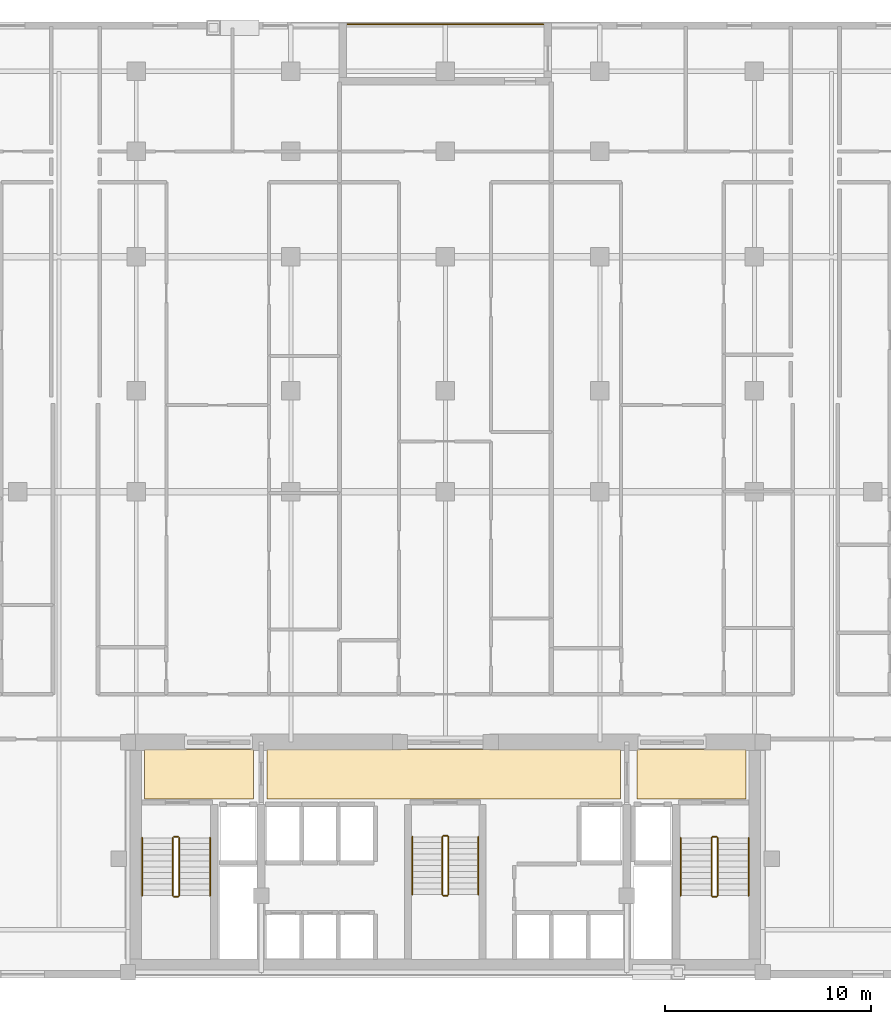
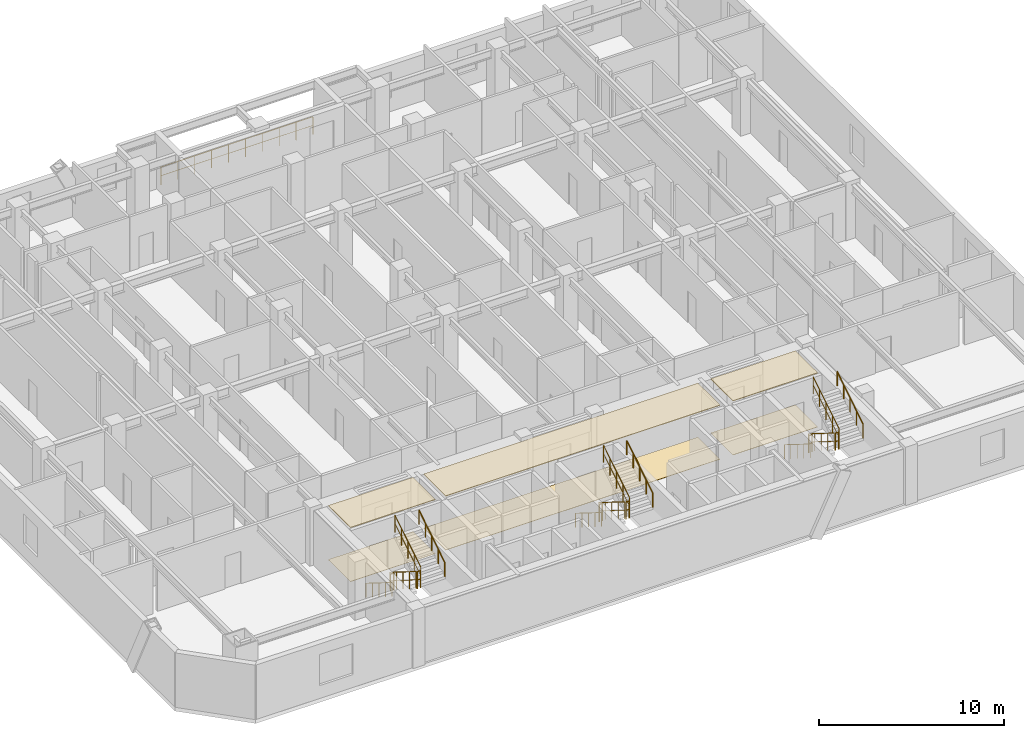
# One storey, part 10 of 10: 19 railings, 6 coverings.
"""IFC4 building model written with IfcOpenShell, lengths in metres."""

from ifc_helpers import new_model, si_unit, direction, frame, origin, origin_2d, place, context, subcontext, project, spatial, polyline, circle, outline, extrude, material, layer, layer_set, type_object, element, save


model = new_model("IFC4")

# Units and contexts
model_context = context("Model", 3, precision=1e-05, world=origin(), true_north=direction((0.0, 1.0)))
body_context = subcontext(model_context, "Body", "Model", "MODEL_VIEW")
ifc_project = project(units=[si_unit("LENGTHUNIT", "METRE"), si_unit("AREAUNIT", "SQUARE_METRE"), si_unit("VOLUMEUNIT", "CUBIC_METRE"), si_unit("PLANEANGLEUNIT", "RADIAN"), si_unit("MASSUNIT", "GRAM", prefix="KILO")], contexts=[model_context])

# Site, building, storey
site_placement = place(None, origin())
site = spatial("IfcSite", under=ifc_project, at=site_placement, CompositionType="ELEMENT")
building_placement = place(site_placement, origin())
building = spatial("IfcBuilding", under=site, at=building_placement, Name="Ventersveld Concourse Tower", CompositionType="ELEMENT")
storey_placement = place(building_placement, frame((0.0, 0.0, 49.050048828125)))
storey = spatial("IfcBuildingStorey", under=building, at=storey_placement, Name="L11", CompositionType="ELEMENT", Elevation=49.050048828125)

# Coverings
ifc_material_1 = material(Name="Mineral-fibre acoustic ceiling tile", Category="gypsum")
ifc_layer_1 = layer(ifc_material_1, 0.0400390625)
ifc_layer_set_1 = layer_set([ifc_layer_1], Name="Mineral-fibre acoustic ceiling tile")
covering_type_1 = type_object("IfcCoveringType", Name="COV-CEIL-ACOUSTIC", PredefinedType="CEILING", material=ifc_layer_set_1)
covering_1_placement = place(storey_placement, frame((0.0, 0.0, 3.56005859375)))
element("IfcCovering", 1, at=covering_1_placement, inside=storey, type_object=covering_type_1, Name="L11 North Lift Lobby Acoustic Ceiling", PredefinedType="CEILING", context=body_context, shape_type="SweptSolid", body=[
    extrude(outline(polyline([(20.10009765625, 8.699951171875), (37.25, 8.699951171875), (37.25, 11.10009765625), (20.10009765625, 11.10009765625), (20.10009765625, 8.699951171875)])), origin(), (0.0, 0.0, 1.0), 0.039794921875),
])
covering_2_placement = place(storey_placement, frame((0.0, 0.0, 3.56005859375)))
element("IfcCovering", 2, at=covering_2_placement, inside=storey, type_object=covering_type_1, Name="L11 West Firefighting Lobby Acoustic Ceiling", PredefinedType="CEILING", context=body_context, shape_type="SweptSolid", body=[
    extrude(outline(polyline([(14.14990234375, 8.699951171875), (19.449951171875, 8.699951171875), (19.449951171875, 11.10009765625), (14.14990234375, 11.10009765625), (14.14990234375, 8.699951171875)])), origin(), (0.0, 0.0, 1.0), 0.039794921875),
])
covering_3_placement = place(storey_placement, frame((0.0, 0.0, 3.56005859375)))
element("IfcCovering", 3, at=covering_3_placement, inside=storey, type_object=covering_type_1, Name="L11 East Firefighting Lobby Acoustic Ceiling", PredefinedType="CEILING", context=body_context, shape_type="SweptSolid", body=[
    extrude(outline(polyline([(38.050048828125, 8.699951171875), (43.35009765625, 8.699951171875), (43.35009765625, 11.10009765625), (38.050048828125, 11.10009765625), (38.050048828125, 8.699951171875)])), origin(), (0.0, 0.0, 1.0), 0.039794921875),
])
ifc_material_2 = material(Name="Polished Highveld granite terrazzo", Category="masonry")
ifc_layer_2 = layer(ifc_material_2, 0.02001953125)
ifc_layer_set_2 = layer_set([ifc_layer_2], Name="Polished Highveld granite terrazzo")
covering_type_2 = type_object("IfcCoveringType", Name="COV-FLOOR-TERRAZZO", PredefinedType="FLOORING", material=ifc_layer_set_2)
covering_4_placement = place(storey_placement, origin())
element("IfcCovering", 4, at=covering_4_placement, inside=storey, type_object=covering_type_2, Name="L11 North Lift Lobby Terrazzo Flooring", PredefinedType="FLOORING", context=body_context, shape_type="SweptSolid", body=[
    extrude(outline(polyline([(20.10009765625, 8.699951171875), (37.25, 8.699951171875), (37.25, 11.10009765625), (20.10009765625, 11.10009765625), (20.10009765625, 8.699951171875)])), origin(), (0.0, 0.0, 1.0), 0.02001953125),
])
covering_5_placement = place(storey_placement, origin())
element("IfcCovering", 5, at=covering_5_placement, inside=storey, type_object=covering_type_2, Name="L11 West Firefighting Lobby Terrazzo Flooring", PredefinedType="FLOORING", context=body_context, shape_type="SweptSolid", body=[
    extrude(outline(polyline([(14.14990234375, 8.699951171875), (19.449951171875, 8.699951171875), (19.449951171875, 11.10009765625), (14.14990234375, 11.10009765625), (14.14990234375, 8.699951171875)])), origin(), (0.0, 0.0, 1.0), 0.02001953125),
])
covering_6_placement = place(storey_placement, origin())
element("IfcCovering", 6, at=covering_6_placement, inside=storey, type_object=covering_type_2, Name="L11 East Firefighting Lobby Terrazzo Flooring", PredefinedType="FLOORING", context=body_context, shape_type="SweptSolid", body=[
    extrude(outline(polyline([(38.050048828125, 8.699951171875), (43.35009765625, 8.699951171875), (43.35009765625, 11.10009765625), (38.050048828125, 11.10009765625), (38.050048828125, 8.699951171875)])), origin(), (0.0, 0.0, 1.0), 0.02001953125),
])

# Railings
ifc_material_3 = material(Name="Brushed stainless steel 316", Category="steel")
railing_type_1 = type_object("IfcRailingType", Name="GD-BAL-115", PredefinedType="GUARDRAIL", material=ifc_material_3)
railing_1_placement = place(storey_placement, frame((15.530029296875, 6.800048828125, 0.175048828125)))
element("IfcRailing", 7, at=railing_1_placement, inside=storey, type_object=railing_type_1, Name="L11 ST-01 stair guard 1", PredefinedType="GUARDRAIL", context=body_context, shape_type="SweptSolid", body=[
    extrude(circle(Radius=0.02392578125, at=origin_2d()), frame((0.0, 0.0, 1.1259765625), z_axis=(0.0, -0.848002457836, 0.529992293815), x_axis=(1.0, 0.0, 0.0)), (0.0, 0.0, 1.0), 3.302001953125),
    extrude(circle(Radius=0.01611328125, at=origin_2d()), frame((0.0, 0.0, 0.574951171875), z_axis=(0.0, -0.848002457836, 0.529992293815), x_axis=(1.0, 0.0, 0.0)), (0.0, 0.0, 1.0), 3.302001953125),
    extrude(circle(Radius=0.02099609375, at=origin_2d()), origin(), (0.0, 0.0, 1.0), 1.101806640625),
    extrude(circle(Radius=0.02099609375, at=origin_2d()), frame((0.0, -0.699951171875, 0.4375)), (0.0, 0.0, 1.0), 1.101806640625),
    extrude(circle(Radius=0.02099609375, at=origin_2d()), frame((0.0, -1.39990234375, 0.875)), (0.0, 0.0, 1.0), 1.101806640625),
    extrude(circle(Radius=0.02099609375, at=origin_2d()), frame((0.0, -2.10009765625, 1.3125)), (0.0, 0.0, 1.0), 1.101806640625),
    extrude(circle(Radius=0.02099609375, at=origin_2d()), frame((0.0, -2.800048828125, 1.75)), (0.0, 0.0, 1.0), 1.101806640625),
])
railing_2_placement = place(storey_placement, frame((15.580078125, 3.949951171875, 1.925048828125)))
element("IfcRailing", 8, at=railing_2_placement, inside=storey, type_object=railing_type_1, Name="L11 ST-01 stair guard 2", PredefinedType="GUARDRAIL", context=body_context, shape_type="SweptSolid", body=[
    extrude(circle(Radius=0.02392578125, at=origin_2d()), frame((0.0, 0.0, 1.1259765625), z_axis=(1.0, 0.0, 0.0), x_axis=(0.0, 1.0, 0.0)), (0.0, 0.0, 1.0), 0.199951171875),
    extrude(circle(Radius=0.01611328125, at=origin_2d()), frame((0.0, 0.0, 0.574951171875), z_axis=(1.0, 0.0, 0.0), x_axis=(0.0, 1.0, 0.0)), (0.0, 0.0, 1.0), 0.199951171875),
    extrude(circle(Radius=0.02099609375, at=origin_2d()), origin(), (0.0, 0.0, 1.0), 1.101806640625),
    extrude(circle(Radius=0.02099609375, at=origin_2d()), frame((0.199951171875, 0.0, 0.0)), (0.0, 0.0, 1.0), 1.101806640625),
])
railing_3_placement = place(storey_placement, frame((15.830078125, 4.0, 2.099853515625)))
element("IfcRailing", 9, at=railing_3_placement, inside=storey, type_object=railing_type_1, Name="L11 ST-01 stair guard 3", PredefinedType="GUARDRAIL", context=body_context, shape_type="SweptSolid", body=[
    extrude(circle(Radius=0.02392578125, at=origin_2d()), frame((0.0, 0.0, 1.1259765625), z_axis=(0.0, 0.848002457836, 0.529992293815), x_axis=(-1.0, 0.0, 0.0)), (0.0, 0.0, 1.0), 3.302001953125),
    extrude(circle(Radius=0.01611328125, at=origin_2d()), frame((0.0, 0.0, 0.574951171875), z_axis=(0.0, 0.848002457836, 0.529992293815), x_axis=(-1.0, 0.0, 0.0)), (0.0, 0.0, 1.0), 3.302001953125),
    extrude(circle(Radius=0.02099609375, at=origin_2d()), origin(), (0.0, 0.0, 1.0), 1.101806640625),
    extrude(circle(Radius=0.02099609375, at=origin_2d()), frame((0.0, 0.699951171875, 0.4375)), (0.0, 0.0, 1.0), 1.101806640625),
    extrude(circle(Radius=0.02099609375, at=origin_2d()), frame((0.0, 1.39990234375, 0.875)), (0.0, 0.0, 1.0), 1.101806640625),
    extrude(circle(Radius=0.02099609375, at=origin_2d()), frame((0.0, 2.10009765625, 1.3125)), (0.0, 0.0, 1.0), 1.101806640625),
    extrude(circle(Radius=0.02099609375, at=origin_2d()), frame((0.0, 2.800048828125, 1.75)), (0.0, 0.0, 1.0), 1.101806640625),
])
railing_4_placement = place(storey_placement, frame((15.580078125, 6.85009765625, 0.0)))
element("IfcRailing", 10, at=railing_4_placement, inside=storey, type_object=railing_type_1, Name="L11 ST-01 stair guard 4", PredefinedType="GUARDRAIL", context=body_context, shape_type="SweptSolid", body=[
    extrude(circle(Radius=0.02392578125, at=origin_2d()), frame((0.0, 0.0, 1.1259765625), z_axis=(1.0, 0.0, 0.0), x_axis=(0.0, 1.0, 0.0)), (0.0, 0.0, 1.0), 0.199951171875),
    extrude(circle(Radius=0.01611328125, at=origin_2d()), frame((0.0, 0.0, 0.574951171875), z_axis=(1.0, 0.0, 0.0), x_axis=(0.0, 1.0, 0.0)), (0.0, 0.0, 1.0), 0.199951171875),
    extrude(circle(Radius=0.02099609375, at=origin_2d()), origin(), (0.0, 0.0, 1.0), 1.101806640625),
    extrude(circle(Radius=0.02099609375, at=origin_2d()), frame((0.199951171875, 0.0, 0.0)), (0.0, 0.0, 1.0), 1.101806640625),
])
railing_5_placement = place(storey_placement, frame((41.669921875, 6.800048828125, 0.175048828125)))
element("IfcRailing", 11, at=railing_5_placement, inside=storey, type_object=railing_type_1, Name="L11 ST-02 stair guard 1", PredefinedType="GUARDRAIL", context=body_context, shape_type="SweptSolid", body=[
    extrude(circle(Radius=0.02392578125, at=origin_2d()), frame((0.0, 0.0, 1.1259765625), z_axis=(0.0, -0.848002457836, 0.529992293815), x_axis=(1.0, 0.0, 0.0)), (0.0, 0.0, 1.0), 3.302001953125),
    extrude(circle(Radius=0.01611328125, at=origin_2d()), frame((0.0, 0.0, 0.574951171875), z_axis=(0.0, -0.848002457836, 0.529992293815), x_axis=(1.0, 0.0, 0.0)), (0.0, 0.0, 1.0), 3.302001953125),
    extrude(circle(Radius=0.02099609375, at=origin_2d()), origin(), (0.0, 0.0, 1.0), 1.101806640625),
    extrude(circle(Radius=0.02099609375, at=origin_2d()), frame((0.0, -0.699951171875, 0.4375)), (0.0, 0.0, 1.0), 1.101806640625),
    extrude(circle(Radius=0.02099609375, at=origin_2d()), frame((0.0, -1.39990234375, 0.875)), (0.0, 0.0, 1.0), 1.101806640625),
    extrude(circle(Radius=0.02099609375, at=origin_2d()), frame((0.0, -2.10009765625, 1.3125)), (0.0, 0.0, 1.0), 1.101806640625),
    extrude(circle(Radius=0.02099609375, at=origin_2d()), frame((0.0, -2.800048828125, 1.75)), (0.0, 0.0, 1.0), 1.101806640625),
])
railing_6_placement = place(storey_placement, frame((41.719970703125, 3.949951171875, 1.925048828125)))
element("IfcRailing", 12, at=railing_6_placement, inside=storey, type_object=railing_type_1, Name="L11 ST-02 stair guard 2", PredefinedType="GUARDRAIL", context=body_context, shape_type="SweptSolid", body=[
    extrude(circle(Radius=0.02392578125, at=origin_2d()), frame((0.0, 0.0, 1.1259765625), z_axis=(1.0, 0.0, 0.0), x_axis=(0.0, 1.0, 0.0)), (0.0, 0.0, 1.0), 0.199951171875),
    extrude(circle(Radius=0.01611328125, at=origin_2d()), frame((0.0, 0.0, 0.574951171875), z_axis=(1.0, 0.0, 0.0), x_axis=(0.0, 1.0, 0.0)), (0.0, 0.0, 1.0), 0.199951171875),
    extrude(circle(Radius=0.02099609375, at=origin_2d()), origin(), (0.0, 0.0, 1.0), 1.101806640625),
    extrude(circle(Radius=0.02099609375, at=origin_2d()), frame((0.199951171875, 0.0, 0.0)), (0.0, 0.0, 1.0), 1.101806640625),
])
railing_7_placement = place(storey_placement, frame((41.969970703125, 4.0, 2.099853515625)))
element("IfcRailing", 13, at=railing_7_placement, inside=storey, type_object=railing_type_1, Name="L11 ST-02 stair guard 3", PredefinedType="GUARDRAIL", context=body_context, shape_type="SweptSolid", body=[
    extrude(circle(Radius=0.02392578125, at=origin_2d()), frame((0.0, 0.0, 1.1259765625), z_axis=(0.0, 0.848002457836, 0.529992293815), x_axis=(-1.0, 0.0, 0.0)), (0.0, 0.0, 1.0), 3.302001953125),
    extrude(circle(Radius=0.01611328125, at=origin_2d()), frame((0.0, 0.0, 0.574951171875), z_axis=(0.0, 0.848002457836, 0.529992293815), x_axis=(-1.0, 0.0, 0.0)), (0.0, 0.0, 1.0), 3.302001953125),
    extrude(circle(Radius=0.02099609375, at=origin_2d()), origin(), (0.0, 0.0, 1.0), 1.101806640625),
    extrude(circle(Radius=0.02099609375, at=origin_2d()), frame((0.0, 0.699951171875, 0.4375)), (0.0, 0.0, 1.0), 1.101806640625),
    extrude(circle(Radius=0.02099609375, at=origin_2d()), frame((0.0, 1.39990234375, 0.875)), (0.0, 0.0, 1.0), 1.101806640625),
    extrude(circle(Radius=0.02099609375, at=origin_2d()), frame((0.0, 2.10009765625, 1.3125)), (0.0, 0.0, 1.0), 1.101806640625),
    extrude(circle(Radius=0.02099609375, at=origin_2d()), frame((0.0, 2.800048828125, 1.75)), (0.0, 0.0, 1.0), 1.101806640625),
])
railing_8_placement = place(storey_placement, frame((41.719970703125, 6.85009765625, 0.0)))
element("IfcRailing", 14, at=railing_8_placement, inside=storey, type_object=railing_type_1, Name="L11 ST-02 stair guard 4", PredefinedType="GUARDRAIL", context=body_context, shape_type="SweptSolid", body=[
    extrude(circle(Radius=0.02392578125, at=origin_2d()), frame((0.0, 0.0, 1.1259765625), z_axis=(1.0, 0.0, 0.0), x_axis=(0.0, 1.0, 0.0)), (0.0, 0.0, 1.0), 0.199951171875),
    extrude(circle(Radius=0.01611328125, at=origin_2d()), frame((0.0, 0.0, 0.574951171875), z_axis=(1.0, 0.0, 0.0), x_axis=(0.0, 1.0, 0.0)), (0.0, 0.0, 1.0), 0.199951171875),
    extrude(circle(Radius=0.02099609375, at=origin_2d()), origin(), (0.0, 0.0, 1.0), 1.101806640625),
    extrude(circle(Radius=0.02099609375, at=origin_2d()), frame((0.199951171875, 0.0, 0.0)), (0.0, 0.0, 1.0), 1.101806640625),
])
railing_9_placement = place(storey_placement, frame((28.60009765625, 6.85009765625, 0.175048828125)))
element("IfcRailing", 15, at=railing_9_placement, inside=storey, type_object=railing_type_1, Name="L11 ST-03 stair guard 1", PredefinedType="GUARDRAIL", context=body_context, shape_type="SweptSolid", body=[
    extrude(circle(Radius=0.02392578125, at=origin_2d()), frame((0.0, 0.0, 1.1259765625), z_axis=(0.0, -0.848002457836, 0.529992293815), x_axis=(1.0, 0.0, 0.0)), (0.0, 0.0, 1.0), 3.302001953125),
    extrude(circle(Radius=0.01611328125, at=origin_2d()), frame((0.0, 0.0, 0.574951171875), z_axis=(0.0, -0.848002457836, 0.529992293815), x_axis=(1.0, 0.0, 0.0)), (0.0, 0.0, 1.0), 3.302001953125),
    extrude(circle(Radius=0.02099609375, at=origin_2d()), origin(), (0.0, 0.0, 1.0), 1.101806640625),
    extrude(circle(Radius=0.02099609375, at=origin_2d()), frame((0.0, -0.699951171875, 0.4375)), (0.0, 0.0, 1.0), 1.101806640625),
    extrude(circle(Radius=0.02099609375, at=origin_2d()), frame((0.0, -1.39990234375, 0.875)), (0.0, 0.0, 1.0), 1.101806640625),
    extrude(circle(Radius=0.02099609375, at=origin_2d()), frame((0.0, -2.10009765625, 1.3125)), (0.0, 0.0, 1.0), 1.101806640625),
    extrude(circle(Radius=0.02099609375, at=origin_2d()), frame((0.0, -2.800048828125, 1.75)), (0.0, 0.0, 1.0), 1.101806640625),
])
railing_10_placement = place(storey_placement, frame((28.64990234375, 4.0, 1.925048828125)))
element("IfcRailing", 16, at=railing_10_placement, inside=storey, type_object=railing_type_1, Name="L11 ST-03 stair guard 2", PredefinedType="GUARDRAIL", context=body_context, shape_type="SweptSolid", body=[
    extrude(circle(Radius=0.02392578125, at=origin_2d()), frame((0.0, 0.0, 1.1259765625), z_axis=(1.0, 0.0, 0.0), x_axis=(0.0, 1.0, 0.0)), (0.0, 0.0, 1.0), 0.2001953125),
    extrude(circle(Radius=0.01611328125, at=origin_2d()), frame((0.0, 0.0, 0.574951171875), z_axis=(1.0, 0.0, 0.0), x_axis=(0.0, 1.0, 0.0)), (0.0, 0.0, 1.0), 0.2001953125),
    extrude(circle(Radius=0.02099609375, at=origin_2d()), origin(), (0.0, 0.0, 1.0), 1.101806640625),
    extrude(circle(Radius=0.02099609375, at=origin_2d()), frame((0.2001953125, 0.0, 0.0)), (0.0, 0.0, 1.0), 1.101806640625),
])
railing_11_placement = place(storey_placement, frame((28.89990234375, 4.050048828125, 2.099853515625)))
element("IfcRailing", 17, at=railing_11_placement, inside=storey, type_object=railing_type_1, Name="L11 ST-03 stair guard 3", PredefinedType="GUARDRAIL", context=body_context, shape_type="SweptSolid", body=[
    extrude(circle(Radius=0.02392578125, at=origin_2d()), frame((0.0, 0.0, 1.1259765625), z_axis=(0.0, 0.848002457836, 0.529992293815), x_axis=(-1.0, 0.0, 0.0)), (0.0, 0.0, 1.0), 3.302001953125),
    extrude(circle(Radius=0.01611328125, at=origin_2d()), frame((0.0, 0.0, 0.574951171875), z_axis=(0.0, 0.848002457836, 0.529992293815), x_axis=(-1.0, 0.0, 0.0)), (0.0, 0.0, 1.0), 3.302001953125),
    extrude(circle(Radius=0.02099609375, at=origin_2d()), origin(), (0.0, 0.0, 1.0), 1.101806640625),
    extrude(circle(Radius=0.02099609375, at=origin_2d()), frame((0.0, 0.699951171875, 0.4375)), (0.0, 0.0, 1.0), 1.101806640625),
    extrude(circle(Radius=0.02099609375, at=origin_2d()), frame((0.0, 1.39990234375, 0.875)), (0.0, 0.0, 1.0), 1.101806640625),
    extrude(circle(Radius=0.02099609375, at=origin_2d()), frame((0.0, 2.10009765625, 1.3125)), (0.0, 0.0, 1.0), 1.101806640625),
    extrude(circle(Radius=0.02099609375, at=origin_2d()), frame((0.0, 2.800048828125, 1.75)), (0.0, 0.0, 1.0), 1.101806640625),
])
railing_12_placement = place(storey_placement, frame((28.64990234375, 6.89990234375, 0.0)))
element("IfcRailing", 18, at=railing_12_placement, inside=storey, type_object=railing_type_1, Name="L11 ST-03 stair guard 4", PredefinedType="GUARDRAIL", context=body_context, shape_type="SweptSolid", body=[
    extrude(circle(Radius=0.02392578125, at=origin_2d()), frame((0.0, 0.0, 1.1259765625), z_axis=(1.0, 0.0, 0.0), x_axis=(0.0, 1.0, 0.0)), (0.0, 0.0, 1.0), 0.2001953125),
    extrude(circle(Radius=0.01611328125, at=origin_2d()), frame((0.0, 0.0, 0.574951171875), z_axis=(1.0, 0.0, 0.0), x_axis=(0.0, 1.0, 0.0)), (0.0, 0.0, 1.0), 0.2001953125),
    extrude(circle(Radius=0.02099609375, at=origin_2d()), origin(), (0.0, 0.0, 1.0), 1.101806640625),
    extrude(circle(Radius=0.02099609375, at=origin_2d()), frame((0.2001953125, 0.0, 0.0)), (0.0, 0.0, 1.0), 1.101806640625),
])
railing_type_2 = type_object("IfcRailingType", Name="GD-TER-120", PredefinedType="GUARDRAIL", material=ifc_material_3)
railing_13_placement = place(storey_placement, frame((24.0, 46.280029296875, 0.0)))
element("IfcRailing", 19, at=railing_13_placement, inside=storey, type_object=railing_type_2, Name="L11 Outdoor Terrace Guardrail NOTCH-N", PredefinedType="GUARDRAIL", context=body_context, shape_type="SweptSolid", body=[
    extrude(circle(Radius=0.02392578125, at=origin_2d()), frame((0.0, 0.0, 1.17578125), z_axis=(1.0, 0.0, 0.0), x_axis=(0.0, 1.0, 0.0)), (0.0, 0.0, 1.0), 9.5),
    extrude(circle(Radius=0.01611328125, at=origin_2d()), frame((0.0, 0.0, 0.60009765625), z_axis=(1.0, 0.0, 0.0), x_axis=(0.0, 1.0, 0.0)), (0.0, 0.0, 1.0), 9.5),
    extrude(circle(Radius=0.02099609375, at=origin_2d()), origin(), (0.0, 0.0, 1.0), 1.15185546875),
    extrude(circle(Radius=0.02099609375, at=origin_2d()), frame((1.0556640625, 0.0, 0.0)), (0.0, 0.0, 1.0), 1.15185546875),
    extrude(circle(Radius=0.02099609375, at=origin_2d()), frame((2.111083984375, 0.0, 0.0)), (0.0, 0.0, 1.0), 1.15185546875),
    extrude(circle(Radius=0.02099609375, at=origin_2d()), frame((3.166748046875, 0.0, 0.0)), (0.0, 0.0, 1.0), 1.15185546875),
    extrude(circle(Radius=0.02099609375, at=origin_2d()), frame((4.22216796875, 0.0, 0.0)), (0.0, 0.0, 1.0), 1.15185546875),
    extrude(circle(Radius=0.02099609375, at=origin_2d()), frame((5.27783203125, 0.0, 0.0)), (0.0, 0.0, 1.0), 1.15185546875),
    extrude(circle(Radius=0.02099609375, at=origin_2d()), frame((6.333251953125, 0.0, 0.0)), (0.0, 0.0, 1.0), 1.15185546875),
    extrude(circle(Radius=0.02099609375, at=origin_2d()), frame((7.388916015625, 0.0, 0.0)), (0.0, 0.0, 1.0), 1.15185546875),
    extrude(circle(Radius=0.02099609375, at=origin_2d()), frame((8.4443359375, 0.0, 0.0)), (0.0, 0.0, 1.0), 1.15185546875),
    extrude(circle(Radius=0.02099609375, at=origin_2d()), frame((9.5, 0.0, 0.0)), (0.0, 0.0, 1.0), 1.15185546875),
])
railing_type_3 = type_object("IfcRailingType", Name="HR-RMP-095", PredefinedType="HANDRAIL", material=ifc_material_3)
railing_14_placement = place(storey_placement, frame((14.030029296875, 6.800048828125, 0.175048828125)))
element("IfcRailing", 20, at=railing_14_placement, inside=storey, type_object=railing_type_3, Name="L11 ST-01 stair handrail 1", PredefinedType="HANDRAIL", context=body_context, shape_type="SweptSolid", body=[
    extrude(circle(Radius=0.02392578125, at=origin_2d()), frame((0.0, 0.0, 0.92578125), z_axis=(0.0, -0.848002457836, 0.529992293815), x_axis=(1.0, 0.0, 0.0)), (0.0, 0.0, 1.0), 3.302001953125),
    extrude(circle(Radius=0.02099609375, at=origin_2d()), origin(), (0.0, 0.0, 1.0), 0.90185546875),
    extrude(circle(Radius=0.02099609375, at=origin_2d()), frame((0.0, -0.699951171875, 0.4375)), (0.0, 0.0, 1.0), 0.90185546875),
    extrude(circle(Radius=0.02099609375, at=origin_2d()), frame((0.0, -1.39990234375, 0.875)), (0.0, 0.0, 1.0), 0.90185546875),
    extrude(circle(Radius=0.02099609375, at=origin_2d()), frame((0.0, -2.10009765625, 1.3125)), (0.0, 0.0, 1.0), 0.90185546875),
    extrude(circle(Radius=0.02099609375, at=origin_2d()), frame((0.0, -2.800048828125, 1.75)), (0.0, 0.0, 1.0), 0.90185546875),
])
railing_15_placement = place(storey_placement, frame((17.330078125, 4.0, 2.099853515625)))
element("IfcRailing", 21, at=railing_15_placement, inside=storey, type_object=railing_type_3, Name="L11 ST-01 stair handrail 2", PredefinedType="HANDRAIL", context=body_context, shape_type="SweptSolid", body=[
    extrude(circle(Radius=0.02392578125, at=origin_2d()), frame((0.0, 0.0, 0.92578125), z_axis=(0.0, 0.848002457836, 0.529992293815), x_axis=(-1.0, 0.0, 0.0)), (0.0, 0.0, 1.0), 3.302001953125),
    extrude(circle(Radius=0.02099609375, at=origin_2d()), origin(), (0.0, 0.0, 1.0), 0.90185546875),
    extrude(circle(Radius=0.02099609375, at=origin_2d()), frame((0.0, 0.699951171875, 0.4375)), (0.0, 0.0, 1.0), 0.90185546875),
    extrude(circle(Radius=0.02099609375, at=origin_2d()), frame((0.0, 1.39990234375, 0.875)), (0.0, 0.0, 1.0), 0.90185546875),
    extrude(circle(Radius=0.02099609375, at=origin_2d()), frame((0.0, 2.10009765625, 1.3125)), (0.0, 0.0, 1.0), 0.90185546875),
    extrude(circle(Radius=0.02099609375, at=origin_2d()), frame((0.0, 2.800048828125, 1.75)), (0.0, 0.0, 1.0), 0.90185546875),
])
railing_16_placement = place(storey_placement, frame((40.169921875, 6.800048828125, 0.175048828125)))
element("IfcRailing", 22, at=railing_16_placement, inside=storey, type_object=railing_type_3, Name="L11 ST-02 stair handrail 1", PredefinedType="HANDRAIL", context=body_context, shape_type="SweptSolid", body=[
    extrude(circle(Radius=0.02392578125, at=origin_2d()), frame((0.0, 0.0, 0.92578125), z_axis=(0.0, -0.848002457836, 0.529992293815), x_axis=(1.0, 0.0, 0.0)), (0.0, 0.0, 1.0), 3.302001953125),
    extrude(circle(Radius=0.02099609375, at=origin_2d()), origin(), (0.0, 0.0, 1.0), 0.90185546875),
    extrude(circle(Radius=0.02099609375, at=origin_2d()), frame((0.0, -0.699951171875, 0.4375)), (0.0, 0.0, 1.0), 0.90185546875),
    extrude(circle(Radius=0.02099609375, at=origin_2d()), frame((0.0, -1.39990234375, 0.875)), (0.0, 0.0, 1.0), 0.90185546875),
    extrude(circle(Radius=0.02099609375, at=origin_2d()), frame((0.0, -2.10009765625, 1.3125)), (0.0, 0.0, 1.0), 0.90185546875),
    extrude(circle(Radius=0.02099609375, at=origin_2d()), frame((0.0, -2.800048828125, 1.75)), (0.0, 0.0, 1.0), 0.90185546875),
])
railing_17_placement = place(storey_placement, frame((43.469970703125, 4.0, 2.099853515625)))
element("IfcRailing", 23, at=railing_17_placement, inside=storey, type_object=railing_type_3, Name="L11 ST-02 stair handrail 2", PredefinedType="HANDRAIL", context=body_context, shape_type="SweptSolid", body=[
    extrude(circle(Radius=0.02392578125, at=origin_2d()), frame((0.0, 0.0, 0.92578125), z_axis=(0.0, 0.848002457836, 0.529992293815), x_axis=(-1.0, 0.0, 0.0)), (0.0, 0.0, 1.0), 3.302001953125),
    extrude(circle(Radius=0.02099609375, at=origin_2d()), origin(), (0.0, 0.0, 1.0), 0.90185546875),
    extrude(circle(Radius=0.02099609375, at=origin_2d()), frame((0.0, 0.699951171875, 0.4375)), (0.0, 0.0, 1.0), 0.90185546875),
    extrude(circle(Radius=0.02099609375, at=origin_2d()), frame((0.0, 1.39990234375, 0.875)), (0.0, 0.0, 1.0), 0.90185546875),
    extrude(circle(Radius=0.02099609375, at=origin_2d()), frame((0.0, 2.10009765625, 1.3125)), (0.0, 0.0, 1.0), 0.90185546875),
    extrude(circle(Radius=0.02099609375, at=origin_2d()), frame((0.0, 2.800048828125, 1.75)), (0.0, 0.0, 1.0), 0.90185546875),
])
railing_18_placement = place(storey_placement, frame((27.14990234375, 6.85009765625, 0.175048828125)))
element("IfcRailing", 24, at=railing_18_placement, inside=storey, type_object=railing_type_3, Name="L11 ST-03 stair handrail 1", PredefinedType="HANDRAIL", context=body_context, shape_type="SweptSolid", body=[
    extrude(circle(Radius=0.02392578125, at=origin_2d()), frame((0.0, 0.0, 0.92578125), z_axis=(0.0, -0.848002457836, 0.529992293815), x_axis=(1.0, 0.0, 0.0)), (0.0, 0.0, 1.0), 3.302001953125),
    extrude(circle(Radius=0.02099609375, at=origin_2d()), origin(), (0.0, 0.0, 1.0), 0.90185546875),
    extrude(circle(Radius=0.02099609375, at=origin_2d()), frame((0.0, -0.699951171875, 0.4375)), (0.0, 0.0, 1.0), 0.90185546875),
    extrude(circle(Radius=0.02099609375, at=origin_2d()), frame((0.0, -1.39990234375, 0.875)), (0.0, 0.0, 1.0), 0.90185546875),
    extrude(circle(Radius=0.02099609375, at=origin_2d()), frame((0.0, -2.10009765625, 1.3125)), (0.0, 0.0, 1.0), 0.90185546875),
    extrude(circle(Radius=0.02099609375, at=origin_2d()), frame((0.0, -2.800048828125, 1.75)), (0.0, 0.0, 1.0), 0.90185546875),
])
railing_19_placement = place(storey_placement, frame((30.35009765625, 4.050048828125, 2.099853515625)))
element("IfcRailing", 25, at=railing_19_placement, inside=storey, type_object=railing_type_3, Name="L11 ST-03 stair handrail 2", PredefinedType="HANDRAIL", context=body_context, shape_type="SweptSolid", body=[
    extrude(circle(Radius=0.02392578125, at=origin_2d()), frame((0.0, 0.0, 0.92578125), z_axis=(0.0, 0.848002457836, 0.529992293815), x_axis=(-1.0, 0.0, 0.0)), (0.0, 0.0, 1.0), 3.302001953125),
    extrude(circle(Radius=0.02099609375, at=origin_2d()), origin(), (0.0, 0.0, 1.0), 0.90185546875),
    extrude(circle(Radius=0.02099609375, at=origin_2d()), frame((0.0, 0.699951171875, 0.4375)), (0.0, 0.0, 1.0), 0.90185546875),
    extrude(circle(Radius=0.02099609375, at=origin_2d()), frame((0.0, 1.39990234375, 0.875)), (0.0, 0.0, 1.0), 0.90185546875),
    extrude(circle(Radius=0.02099609375, at=origin_2d()), frame((0.0, 2.10009765625, 1.3125)), (0.0, 0.0, 1.0), 0.90185546875),
    extrude(circle(Radius=0.02099609375, at=origin_2d()), frame((0.0, 2.800048828125, 1.75)), (0.0, 0.0, 1.0), 0.90185546875),
])

save(model, "model.ifc")
